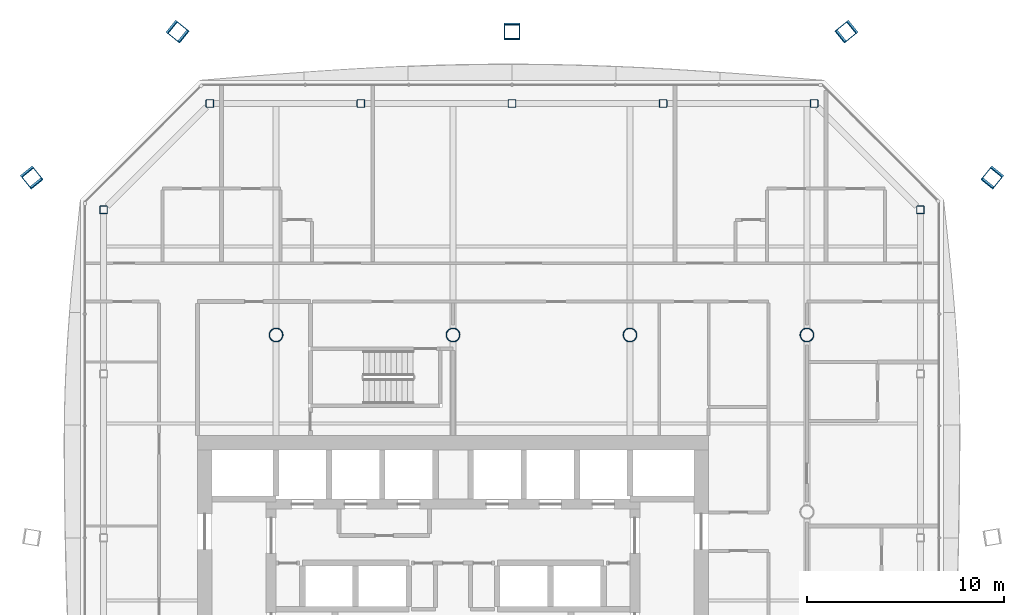
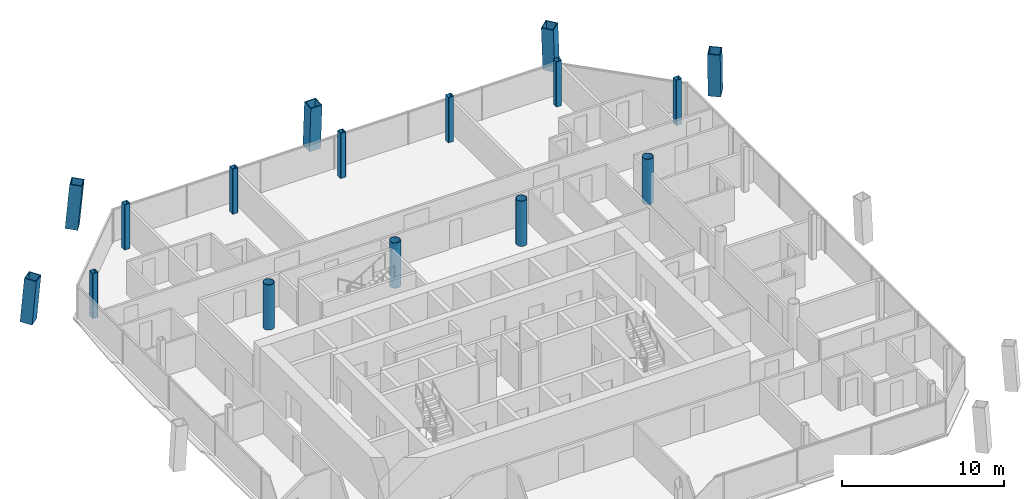
# One storey, part 2 of 17: 16 columns.
"""IFC4 building model written with IfcOpenShell, lengths in metres."""

from ifc_helpers import new_model, si_unit, direction, frame, origin, origin_2d, place, context, subcontext, project, spatial, hollow_rectangle, hollow_circle, extrude, material, material_profile, profile_set, type_object, element, save


model = new_model("IFC4")

# Units and contexts
model_context = context("Model", 3, precision=1e-05, world=origin(), true_north=direction((0.0, 1.0)))
body_context = subcontext(model_context, "Body", "Model", "MODEL_VIEW")
ifc_project = project(units=[si_unit("LENGTHUNIT", "METRE"), si_unit("AREAUNIT", "SQUARE_METRE"), si_unit("VOLUMEUNIT", "CUBIC_METRE"), si_unit("PLANEANGLEUNIT", "RADIAN"), si_unit("MASSUNIT", "GRAM", prefix="KILO")], contexts=[model_context])

# Site, building, storey
site_placement = place(None, origin())
site = spatial("IfcSite", under=ifc_project, at=site_placement, CompositionType="ELEMENT")
building_placement = place(site_placement, origin())
building = spatial("IfcBuilding", under=site, at=building_placement, Name="Tskaro Facet Tower", CompositionType="ELEMENT")
storey_placement = place(building_placement, frame((0.0, 0.0, 158.89990234375)))
storey = spatial("IfcBuildingStorey", under=building, at=storey_placement, Name="L39", CompositionType="ELEMENT", Elevation=158.89990234375)

# Columns
ifc_material_1 = material(Name="Steel S460M", Category="steel")
ifc_material_profile_1 = material_profile(ifc_material_1, hollow_rectangle(XDim=0.800048828125, YDim=0.800048828125, WallThickness=0.050048828125, at=origin_2d()), Name="BOX 800x800x50")
ifc_profile_set_1 = profile_set([ifc_material_profile_1], Name="Steel S460M")
column_type_1 = type_object("IfcColumnType", Name="BOX 800x800x50 mega column", PredefinedType="COLUMN", material=ifc_profile_set_1)
for number, where, z_axis, x_axis, name in (
    (1, (27.458984375, 17.0458984375, 0.0), (-0.053609245435, -0.066466747389, 0.996347439549), (0.778372810229, -0.627802332185, 0.0), "BOX 800x800x50 MC06/3"),
    (2, (20.0458984375, 24.458984375, 0.0), (-0.066466747389, -0.053609245435, 0.996347439549), (0.627802332185, -0.778372810229, 0.0), "BOX 800x800x50 MC07/3"),
):
    element("IfcColumn", number, at=place(storey_placement, frame(where, z_axis=z_axis, x_axis=x_axis)), inside=storey, type_object=column_type_1, Name=name, PredefinedType="COLUMN", context=body_context, shape_type="SweptSolid", body=[
        extrude(hollow_rectangle(XDim=0.800048828125, YDim=0.800048828125, WallThickness=0.050048828125, at=origin_2d()), origin(), (0.0, 0.0, 1.0), 3.36083984375),
    ])
column_placement = place(storey_placement, frame((3.0, 24.458984375, 0.0), z_axis=(0.0, -0.053729384031, 0.998555533404), x_axis=(1.0, 0.0, 0.0)))
element("IfcColumn", 3, at=column_placement, inside=storey, type_object=column_type_1, Name="BOX 800x800x50 MC08/3", PredefinedType="COLUMN", context=body_context, shape_type="SweptSolid", body=[
    extrude(hollow_rectangle(XDim=0.800048828125, YDim=0.800048828125, WallThickness=0.050048828125, at=origin_2d()), origin(), (0.0, 0.0, 1.0), 3.37158203125),
])
for number, where, z_axis, x_axis, name in (
    (4, (-14.0458984375, 24.458984375, 0.0), (0.066466747389, -0.053609245435, 0.996347439549), (0.627802332185, 0.778372810229, 0.0), "BOX 800x800x50 MC09/3"),
    (5, (-21.458984375, 17.0458984375, 0.0), (0.053609245435, -0.066466747389, 0.996347439549), (0.778372810229, 0.627802332185, 0.0), "BOX 800x800x50 MC10/3"),
):
    element("IfcColumn", number, at=place(storey_placement, frame(where, z_axis=z_axis, x_axis=x_axis)), inside=storey, type_object=column_type_1, Name=name, PredefinedType="COLUMN", context=body_context, shape_type="SweptSolid", body=[
        extrude(hollow_rectangle(XDim=0.800048828125, YDim=0.800048828125, WallThickness=0.050048828125, at=origin_2d()), origin(), (0.0, 0.0, 1.0), 3.36083984375),
    ])
ifc_material_2 = material(Name="Steel S355J2H", Category="steel")
ifc_material_profile_2 = material_profile(ifc_material_2, hollow_circle(Radius=0.35546875, WallThickness=0.031982421875, at=origin_2d()), Name="CHS 711x32")
ifc_profile_set_2 = profile_set([ifc_material_profile_2], Name="Steel S355J2H")
column_type_2 = type_object("IfcColumnType", Name="CHS 711x32 interior column", PredefinedType="COLUMN", material=ifc_profile_set_2)
for number, where, z_axis, x_axis, name in (
    (6, (-9.0, 9.0, 0.0), (0.0, 0.0, 1.0), (1.0, 0.0, 0.0), "CHS 711x32 C3E/3"),
    (7, (0.0, 9.0, 0.0), (0.0, 0.0, 1.0), (1.0, 0.0, 0.0), "CHS 711x32 C4E/3"),
    (8, (9.0, 9.0, 0.0), (0.0, 0.0, 1.0), (1.0, 0.0, 0.0), "CHS 711x32 C5E/3"),
    (9, (18.0, 9.0, 0.0), (0.0, 0.0, 1.0), (1.0, 0.0, 0.0), "CHS 711x32 C6E/3"),
):
    element("IfcColumn", number, at=place(storey_placement, frame(where, z_axis=z_axis, x_axis=x_axis)), inside=storey, type_object=column_type_2, Name=name, PredefinedType="COLUMN", context=body_context, shape_type="SweptSolid", body=[
        extrude(hollow_circle(Radius=0.35546875, WallThickness=0.031982421875, at=origin_2d()), origin(), (0.0, 0.0, 1.0), 3.400146484375),
    ])
ifc_material_profile_3 = material_profile(ifc_material_2, hollow_rectangle(XDim=0.39990234375, YDim=0.39990234375, WallThickness=0.02001953125, InnerFilletRadius=0.030029296875, OuterFilletRadius=0.050048828125, at=origin_2d()), Name="SHS 400x400x20")
ifc_profile_set_3 = profile_set([ifc_material_profile_3], Name="Steel S355J2H")
column_type_3 = type_object("IfcColumnType", Name="SHS 400x400x20 ring column", PredefinedType="COLUMN", material=ifc_profile_set_3)
for number, where, z_axis, x_axis, name in (
    (10, (23.77392578125, 15.367919921875, 0.0), (0.0, 0.0, 1.0), (1.0, 0.0, 0.0), "SHS 400x400x20 RNE-1/3"),
    (11, (18.367919921875, 20.77392578125, 0.0), (0.0, 0.0, 1.0), (1.0, 0.0, 0.0), "SHS 400x400x20 RN-1/3"),
    (12, (10.68408203125, 20.77392578125, 0.0), (0.0, 0.0, 1.0), (1.0, 0.0, 0.0), "SHS 400x400x20 RN-2/3"),
    (13, (3.0, 20.77392578125, 0.0), (0.0, 0.0, 1.0), (1.0, 0.0, 0.0), "SHS 400x400x20 RN-3/3"),
    (14, (-4.68408203125, 20.77392578125, 0.0), (0.0, 0.0, 1.0), (1.0, 0.0, 0.0), "SHS 400x400x20 RN-4/3"),
    (15, (-12.367919921875, 20.77392578125, 0.0), (0.0, 0.0, 1.0), (1.0, 0.0, 0.0), "SHS 400x400x20 RNW-1/3"),
    (16, (-17.77392578125, 15.367919921875, 0.0), (0.0, 0.0, 1.0), (1.0, 0.0, 0.0), "SHS 400x400x20 RW-1/3"),
):
    element("IfcColumn", number, at=place(storey_placement, frame(where, z_axis=z_axis, x_axis=x_axis)), inside=storey, type_object=column_type_3, Name=name, PredefinedType="COLUMN", context=body_context, shape_type="SweptSolid", body=[
        extrude(hollow_rectangle(XDim=0.39990234375, YDim=0.39990234375, WallThickness=0.02001953125, InnerFilletRadius=0.030029296875, OuterFilletRadius=0.050048828125, at=origin_2d()), origin(), (0.0, 0.0, 1.0), 3.400146484375),
    ])

save(model, "model.ifc")
